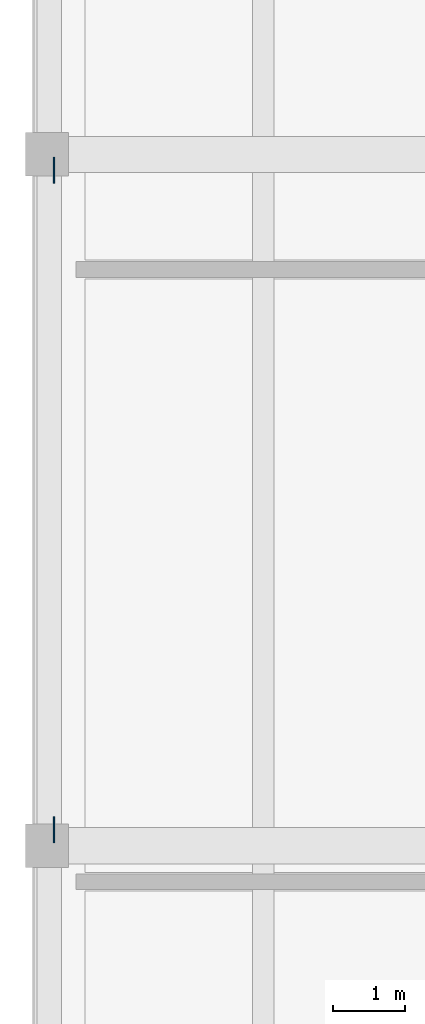
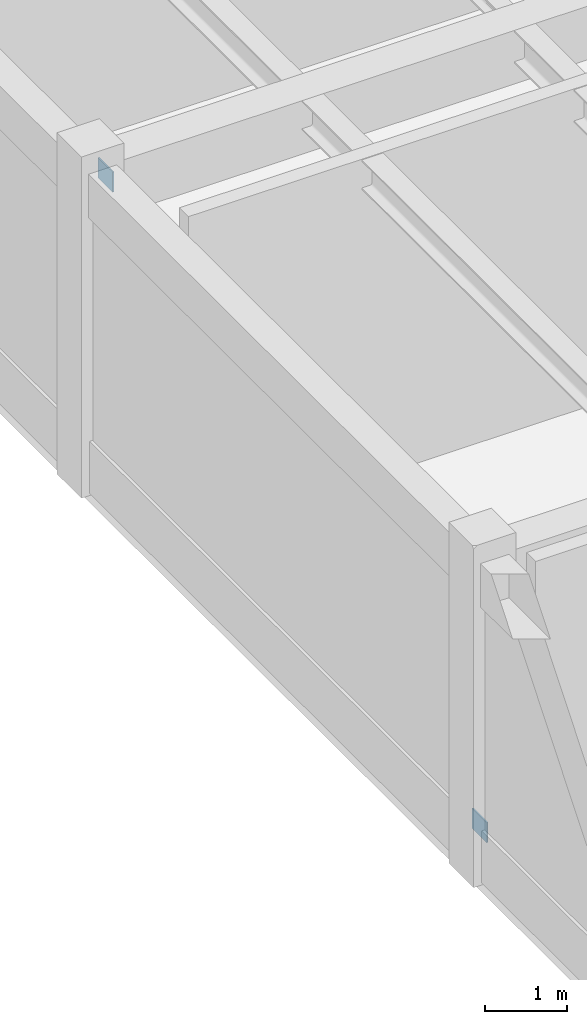
# One storey, part 37 of 64: 2 plates.
"""IFC4 building model written with IfcOpenShell, lengths in metres."""

from ifc_helpers import new_model, si_unit, direction, frame, origin, origin_2d, place, context, subcontext, project, spatial, rectangle, extrude, material, layer, layer_set, type_object, element, save


model = new_model("IFC4")

# Units and contexts
model_context = context("Model", 3, precision=1e-05, world=origin(), true_north=direction((0.0, 1.0)))
body_context = subcontext(model_context, "Body", "Model", "MODEL_VIEW")
ifc_project = project(units=[si_unit("LENGTHUNIT", "METRE"), si_unit("AREAUNIT", "SQUARE_METRE"), si_unit("VOLUMEUNIT", "CUBIC_METRE"), si_unit("PLANEANGLEUNIT", "RADIAN"), si_unit("MASSUNIT", "GRAM", prefix="KILO")], contexts=[model_context])

# Site, building, storey
site_placement = place(None, origin())
site = spatial("IfcSite", under=ifc_project, at=site_placement, CompositionType="ELEMENT")
building_placement = place(site_placement, origin())
building = spatial("IfcBuilding", under=site, at=building_placement, Name="Montealbar Specialist Clinic", CompositionType="ELEMENT")
storey_placement = place(building_placement, origin())
storey = spatial("IfcBuildingStorey", under=building, at=storey_placement, Name="L00", CompositionType="ELEMENT", Elevation=0.0)

# Plates
ifc_material = material(Name="Steel S355", Category="steel")
ifc_layer = layer(ifc_material, 0.02001953125, Name="Steel S355", Category="steel")
ifc_layer_set = layer_set([ifc_layer], Name="Steel S355")
plate_type = type_object("IfcPlateType", Name="PL-GUSSET-20-EXT", PredefinedType="SHEET", material=ifc_layer_set)
for number, where, z_axis, x_axis, name in (
    (1, (0.094970703125, 71.6201171875, 0.330078125), (0.0, 0.0, 1.0), (0.0, 1.0, 0.0), "Lateral brace gusset plate LB-02-B"),
    (2, (0.094970703125, 80.780029296875, 4.5), (0.0, 0.0, 1.0), (0.0, 1.0, 0.0), "Lateral brace gusset plate LB-02-T"),
):
    element("IfcPlate", number, at=place(storey_placement, frame(where, z_axis=z_axis, x_axis=x_axis)), inside=storey, type_object=plate_type, Name=name, PredefinedType="SHEET", context=body_context, shape_type="SweptSolid", body=[
        extrude(rectangle(XDim=0.360107421875, YDim=0.02001953125, at=origin_2d()), origin(), (0.0, 0.0, 1.0), 0.300048828125),
    ])

save(model, "model.ifc")
